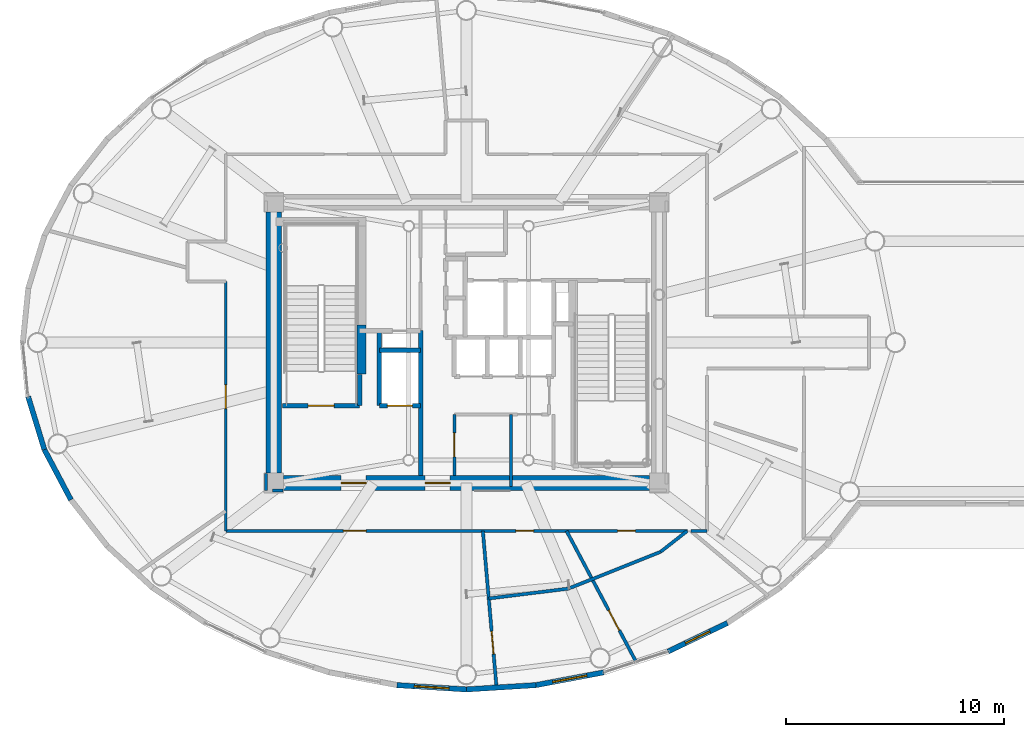
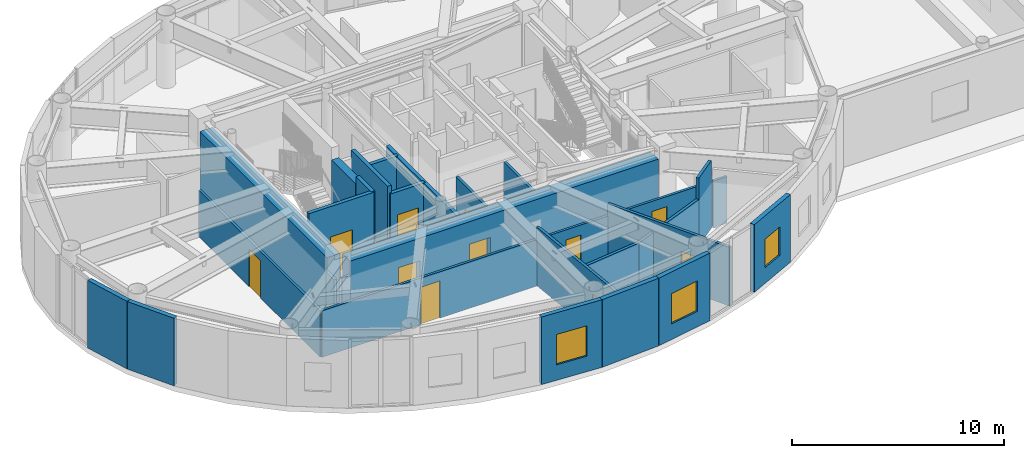
# One storey, part 16 of 26: 27 walls, 11 doors, 3 windows, 14 openings.
"""IFC4 building model written with IfcOpenShell, lengths in metres."""

from ifc_helpers import new_model, si_unit, direction, frame, frame_2d, origin, origin_2d, place, context, subcontext, project, spatial, rectangle, extrude, source, transform, mapped, material, layer, layer_set, type_object, element, fill, save


model = new_model("IFC4")

# Units and contexts
model_context = context("Model", 3, precision=1e-05, world=origin(), true_north=direction((0.0, 1.0)))
body_context = subcontext(model_context, "Body", "Model", "MODEL_VIEW")
ifc_project = project(units=[si_unit("LENGTHUNIT", "METRE"), si_unit("AREAUNIT", "SQUARE_METRE"), si_unit("VOLUMEUNIT", "CUBIC_METRE"), si_unit("PLANEANGLEUNIT", "RADIAN"), si_unit("MASSUNIT", "GRAM", prefix="KILO")], contexts=[model_context])

# Site, building, storey
site_placement = place(None, origin())
site = spatial("IfcSite", under=ifc_project, at=site_placement, CompositionType="ELEMENT")
building_placement = place(site_placement, origin())
building = spatial("IfcBuilding", under=site, at=building_placement, Name="Linh Dai School and Residence Tower", CompositionType="ELEMENT")
storey_placement = place(building_placement, frame((0.0, 0.0, 346.800048828125)))
storey = spatial("IfcBuildingStorey", under=building, at=storey_placement, Name="L86", CompositionType="ELEMENT", Elevation=346.800048828125)

# Walls
ifc_material_1 = material(Name="Precast Concrete B45 (C35/45)", Category="concrete")
ifc_layer_1 = layer(ifc_material_1, 0.239990234375)
ifc_layer_set_1 = layer_set([ifc_layer_1], Name="Precast Concrete B45 (C35/45)")
wall_type_1 = type_object("IfcWallType", Name="EW-TC-240", PredefinedType="SOLIDWALL", material=ifc_layer_set_1)
wall_1_placement = place(storey_placement, frame((16.618896484375, 22.086669921875, 0.0), z_axis=(0.0, 0.0, 1.0), x_axis=(-0.293105547213, 0.956080089842, 0.0)))
element("IfcWall", 1, at=wall_1_placement, inside=storey, type_object=wall_type_1, Name="L86 Terracotta Exterior Wall 22", PredefinedType="SOLIDWALL", context=body_context, shape_type="SweptSolid", body=[
    extrude(rectangle(XDim=2.5380859375, YDim=0.239990234375, at=frame_2d((1.26904296875, 0.0))), origin(), (0.0, 0.0, 1.0), 3.89990234375),
])
wall_2_placement = place(storey_placement, frame((17.839111328125, 19.779296875, 0.0), z_axis=(0.0, 0.0, 1.0), x_axis=(-0.467487999989, 0.883999417345, 0.0)))
element("IfcWall", 2, at=wall_2_placement, inside=storey, type_object=wall_type_1, Name="L86 Terracotta Exterior Wall 23", PredefinedType="SOLIDWALL", context=body_context, shape_type="SweptSolid", body=[
    extrude(rectangle(XDim=2.610107421875, YDim=0.239990234375, at=frame_2d((1.30517578125, 0.0))), origin(), (0.0, 0.0, 1.0), 3.89990234375),
])

# Wall, opening, window
wall_3_placement = place(storey_placement, frame((36.0, 11.070068359375, 0.0), z_axis=(0.0, 0.0, 1.0), x_axis=(-0.998109204399, 0.061465568355, 0.0)))
wall_3 = element("IfcWall", 3, at=wall_3_placement, inside=storey, type_object=wall_type_1, Name="L86 Terracotta Exterior Wall 30", PredefinedType="SOLIDWALL", context=body_context, shape_type="SweptSolid", body=[
    extrude(rectangle(XDim=3.197509765625, YDim=0.239990234375, at=frame_2d((1.5986328125, 0.0))), origin(), (0.0, 0.0, 1.0), 3.89990234375),
])
opening_1_placement = place(wall_3_placement, frame((0.798828125, 0.0, 0.89990234375)))
opening_1 = element("IfcOpeningElement", 4, at=opening_1_placement, cuts=wall_3, Name="Opening W2", PredefinedType="OPENING", context=body_context, shape_type="SweptSolid", body=[
    extrude(rectangle(XDim=1.60009765625, YDim=1.75, at=origin_2d()), frame((0.800048828125, 0.1298828125, 0.875), z_axis=(0.0, -1.0, 0.0), x_axis=(1.0, 0.0, 0.0)), (0.0, 0.0, 1.0), 0.260009765625),
])
ifc_material_2 = material(Name="Double Low-E Insulated Glazing", Category="glass")
window_type_1 = type_object("IfcWindowType", Name="WN-RES-1600x1750", PartitioningType="DOUBLE_PANEL_VERTICAL", PredefinedType="WINDOW", material=ifc_material_2)
shared_shape_1 = source(origin(), body_context, "Body", "SweptSolid", [
    extrude(rectangle(XDim=1.60009765625, YDim=1.75, at=origin_2d()), frame((0.800048828125, 0.030029296875, 0.875), z_axis=(0.0, -1.0, 0.0), x_axis=(1.0, 0.0, 0.0)), (0.0, 0.0, 1.0), 0.06005859375),
])
window_1_placement = place(opening_1_placement, origin())
window_1 = element("IfcWindow", 5, at=window_1_placement, inside=storey, type_object=window_type_1, Name="L86 Exterior Window 30.1", OverallHeight=1.75, OverallWidth=1.60009765625, PartitioningType="DOUBLE_PANEL_VERTICAL", PredefinedType="WINDOW", context=body_context, shape_type="MappedRepresentation", body=[
    mapped(shared_shape_1, transform((0.0, 0.0, 0.0), x_axis=(1.0, 0.0, 0.0), y_axis=(0.0, 1.0, 0.0), z_axis=(0.0, 0.0, 1.0), scale=1.0)),
])
fill(opening_1, window_1)

# Wall
wall_4_placement = place(storey_placement, frame((39.19140625, 11.2666015625, 0.0), z_axis=(0.0, 0.0, 1.0), x_axis=(-0.998109204399, -0.061465568355, 0.0)))
element("IfcWall", 6, at=wall_4_placement, inside=storey, type_object=wall_type_1, Name="L86 Terracotta Exterior Wall 31", PredefinedType="SOLIDWALL", context=body_context, shape_type="SweptSolid", body=[
    extrude(rectangle(XDim=3.197509765625, YDim=0.239990234375, at=frame_2d((1.5986328125, 0.0))), origin(), (0.0, 0.0, 1.0), 3.89990234375),
])

# Wall, opening, window
wall_5_placement = place(storey_placement, frame((42.303955078125, 11.85205078125, 0.0), z_axis=(0.0, 0.0, 1.0), x_axis=(-0.98276643264, -0.184851667226, 0.0)))
wall_5 = element("IfcWall", 7, at=wall_5_placement, inside=storey, type_object=wall_type_1, Name="L86 Terracotta Exterior Wall 32", PredefinedType="SOLIDWALL", context=body_context, shape_type="SweptSolid", body=[
    extrude(rectangle(XDim=3.167236328125, YDim=0.239990234375, at=frame_2d((1.58349609375, 0.0))), origin(), (0.0, 0.0, 1.0), 3.89990234375),
])
opening_2_placement = place(wall_5_placement, frame((0.78369140625, 0.0, 0.89990234375)))
opening_2 = element("IfcOpeningElement", 8, at=opening_2_placement, cuts=wall_5, Name="Opening W2", PredefinedType="OPENING", context=body_context, shape_type="SweptSolid", body=[
    extrude(rectangle(XDim=1.60009765625, YDim=1.75, at=origin_2d()), frame((0.800048828125, 0.1298828125, 0.875), z_axis=(0.0, -1.0, 0.0), x_axis=(1.0, 0.0, 0.0)), (0.0, 0.0, 1.0), 0.260009765625),
])
window_2_placement = place(opening_2_placement, origin())
window_2 = element("IfcWindow", 9, at=window_2_placement, inside=storey, type_object=window_type_1, Name="L86 Exterior Window 32.1", OverallHeight=1.75, OverallWidth=1.60009765625, PartitioningType="DOUBLE_PANEL_VERTICAL", PredefinedType="WINDOW", context=body_context, shape_type="MappedRepresentation", body=[
    mapped(shared_shape_1, transform((0.0, 0.0, 0.0), x_axis=(1.0, 0.0, 0.0), y_axis=(0.0, 1.0, 0.0), z_axis=(0.0, 0.0, 1.0), scale=1.0)),
])
fill(opening_2, window_2)

wall_6_placement = place(storey_placement, frame((47.98779296875, 14.119873046875, 0.0), z_axis=(0.0, 0.0, 1.0), x_axis=(-0.901557057889, -0.432660226241, 0.0)))
wall_6 = element("IfcWall", 10, at=wall_6_placement, inside=storey, type_object=wall_type_1, Name="L86 Terracotta Exterior Wall 34", PredefinedType="SOLIDWALL", context=body_context, shape_type="SweptSolid", body=[
    extrude(rectangle(XDim=3.025146484375, YDim=0.239990234375, at=frame_2d((1.5126953125, 0.0))), origin(), (0.0, 0.0, 1.0), 3.89990234375),
])
opening_3_placement = place(wall_6_placement, frame((0.8876953125, 0.0, 0.89990234375)))
opening_3 = element("IfcOpeningElement", 11, at=opening_3_placement, cuts=wall_6, Name="Opening W3", PredefinedType="OPENING", context=body_context, shape_type="SweptSolid", body=[
    extrude(rectangle(XDim=1.25, YDim=1.64990234375, at=origin_2d()), frame((0.625, 0.1298828125, 0.824951171875), z_axis=(0.0, -1.0, 0.0), x_axis=(1.0, 0.0, 0.0)), (0.0, 0.0, 1.0), 0.260009765625),
])
window_type_2 = type_object("IfcWindowType", Name="WN-RES-1250x1650", PartitioningType="SINGLE_PANEL", PredefinedType="WINDOW", material=ifc_material_2)
shared_shape_2 = source(origin(), body_context, "Body", "SweptSolid", [
    extrude(rectangle(XDim=1.25, YDim=1.64990234375, at=origin_2d()), frame((0.625, 0.030029296875, 0.824951171875), z_axis=(0.0, -1.0, 0.0), x_axis=(1.0, 0.0, 0.0)), (0.0, 0.0, 1.0), 0.06005859375),
])
window_3_placement = place(opening_3_placement, origin())
window_3 = element("IfcWindow", 12, at=window_3_placement, inside=storey, type_object=window_type_2, Name="L86 Exterior Window 34.1", OverallHeight=1.64990234375, OverallWidth=1.25, PartitioningType="SINGLE_PANEL", PredefinedType="WINDOW", context=body_context, shape_type="MappedRepresentation", body=[
    mapped(shared_shape_2, transform((0.0, 0.0, 0.0), x_axis=(1.0, 0.0, 0.0), y_axis=(0.0, 1.0, 0.0), z_axis=(0.0, 0.0, 1.0), scale=1.0)),
])
fill(opening_3, window_3)

# Wall, opening, door
ifc_material_3 = material(Name="Autoclaved Aerated Concrete Blockwork", Category="masonry")
ifc_layer_2 = layer(ifc_material_3, 0.135009765625)
ifc_layer_set_2 = layer_set([ifc_layer_2], Name="Autoclaved Aerated Concrete Blockwork")
wall_type_2 = type_object("IfcWallType", Name="IW-CORR-135-EI90", PredefinedType="PARTITIONING", material=ifc_layer_set_2)
wall_7_placement = place(storey_placement, frame((24.949951171875, 18.35009765625, 0.0), z_axis=(0.0, 0.0, 1.0), x_axis=(0.0, 1.0, 0.0)))
wall_7 = element("IfcWall", 13, at=wall_7_placement, inside=storey, type_object=wall_type_2, Name="L86 Interior Partition Wall 006", PredefinedType="PARTITIONING", context=body_context, shape_type="SweptSolid", body=[
    extrude(rectangle(XDim=11.449951171875, YDim=0.135009765625, at=frame_2d((5.72509765625, 0.0))), origin(), (0.0, 0.0, 1.0), 2.68505859375),
])
opening_4_placement = place(wall_7_placement, frame((5.611328125, 0.0, 0.0)))
opening_4 = element("IfcOpeningElement", 14, at=opening_4_placement, cuts=wall_7, Name="Opening D07", PredefinedType="OPENING", context=body_context, shape_type="SweptSolid", body=[
    extrude(rectangle(XDim=1.10009765625, YDim=2.14990234375, at=origin_2d()), frame((0.550048828125, 0.07763671875, 1.074951171875), z_axis=(0.0, -1.0, 0.0), x_axis=(1.0, 0.0, 0.0)), (0.0, 0.0, 1.0), 0.155029296875),
])
ifc_material_4 = material(Name="Fire-Rated Louvred Steel Plant Door", Category="steel")
door_type_1 = type_object("IfcDoorType", Name="DR-PLT-1100x2150-FD60S", OperationType="NOTDEFINED", PredefinedType="DOOR", material=ifc_material_4)
shared_shape_3 = source(origin(), body_context, "Body", "SweptSolid", [
    extrude(rectangle(XDim=1.10009765625, YDim=2.14990234375, at=origin_2d()), frame((0.550048828125, 0.02490234375, 1.074951171875), z_axis=(0.0, -1.0, 0.0), x_axis=(1.0, 0.0, 0.0)), (0.0, 0.0, 1.0), 0.050048828125),
])
door_1_placement = place(opening_4_placement, origin())
door_1 = element("IfcDoor", 15, at=door_1_placement, inside=storey, type_object=door_type_1, Name="L86 Sommelier Cellar and Cold Pantry Door", OperationType="SINGLE_SWING_LEFT", OverallHeight=2.14990234375, OverallWidth=1.10009765625, PredefinedType="DOOR", context=body_context, shape_type="MappedRepresentation", body=[
    mapped(shared_shape_3, transform((0.0, 0.0, 0.0), x_axis=(1.0, 0.0, 0.0), y_axis=(0.0, 1.0, 0.0), z_axis=(0.0, 0.0, 1.0), scale=1.0)),
])
fill(opening_4, door_1)

# Wall, openings, doors
wall_8_placement = place(storey_placement, frame((24.949951171875, 18.35009765625, 0.0), z_axis=(0.0, 0.0, 1.0), x_axis=(1.0, 0.0, 0.0)))
wall_8 = element("IfcWall", 16, at=wall_8_placement, inside=storey, type_object=wall_type_2, Name="L86 Interior Partition Wall 007", PredefinedType="PARTITIONING", context=body_context, shape_type="SweptSolid", body=[
    extrude(rectangle(XDim=21.194580078125, YDim=0.135009765625, at=frame_2d((10.59716796875, 0.0))), origin(), (0.0, 0.0, 1.0), 2.68505859375),
])
opening_5_placement = place(wall_8_placement, frame((5.3984375, 0.0, 0.0)))
opening_5 = element("IfcOpeningElement", 17, at=opening_5_placement, cuts=wall_8, Name="Opening D04", PredefinedType="OPENING", context=body_context, shape_type="SweptSolid", body=[
    extrude(rectangle(XDim=1.050048828125, YDim=2.14990234375, at=origin_2d()), frame((0.52490234375, 0.07763671875, 1.074951171875), z_axis=(0.0, -1.0, 0.0), x_axis=(1.0, 0.0, 0.0)), (0.0, 0.0, 1.0), 0.155029296875),
])
opening_6_placement = place(wall_8_placement, frame((13.318115234375, 0.0, 0.0)))
opening_6 = element("IfcOpeningElement", 18, at=opening_6_placement, cuts=wall_8, Name="Opening D06", PredefinedType="OPENING", context=body_context, shape_type="SweptSolid", body=[
    extrude(rectangle(XDim=0.820068359375, YDim=2.10009765625, at=origin_2d()), frame((0.41015625, 0.07763671875, 1.050048828125), z_axis=(0.0, -1.0, 0.0), x_axis=(1.0, 0.0, 0.0)), (0.0, 0.0, 1.0), 0.155029296875),
])
opening_7_placement = place(wall_8_placement, frame((17.991943359375, 0.0, 0.0)))
opening_7 = element("IfcOpeningElement", 19, at=opening_7_placement, cuts=wall_8, Name="Opening D06", PredefinedType="OPENING", context=body_context, shape_type="SweptSolid", body=[
    extrude(rectangle(XDim=0.820068359375, YDim=2.10009765625, at=origin_2d()), frame((0.41015625, 0.07763671875, 1.050048828125), z_axis=(0.0, -1.0, 0.0), x_axis=(1.0, 0.0, 0.0)), (0.0, 0.0, 1.0), 0.155029296875),
])
ifc_material_5 = material(Name="Acoustic Vision-Panel Timber Classroom Door", Category="wood")
door_type_2 = type_object("IfcDoorType", Name="DR-SCH-1050x2150-FD60S", OperationType="NOTDEFINED", PredefinedType="DOOR", material=ifc_material_5)
shared_shape_4 = source(origin(), body_context, "Body", "SweptSolid", [
    extrude(rectangle(XDim=1.050048828125, YDim=2.14990234375, at=origin_2d()), frame((0.52490234375, 0.02490234375, 1.074951171875), z_axis=(0.0, -1.0, 0.0), x_axis=(1.0, 0.0, 0.0)), (0.0, 0.0, 1.0), 0.050048828125),
])
door_2_placement = place(opening_5_placement, origin())
door_2 = element("IfcDoor", 20, at=door_2_placement, inside=storey, type_object=door_type_2, Name="L86 Sunset Cocktail Lounge West Door", OperationType="SINGLE_SWING_RIGHT", OverallHeight=2.14990234375, OverallWidth=1.050048828125, PredefinedType="DOOR", context=body_context, shape_type="MappedRepresentation", body=[
    mapped(shared_shape_4, transform((0.0, 0.0, 0.0), x_axis=(1.0, 0.0, 0.0), y_axis=(0.0, 1.0, 0.0), z_axis=(0.0, 0.0, 1.0), scale=1.0)),
])
fill(opening_5, door_2)
ifc_material_6 = material(Name="Moisture-Resistant Timber Bathroom Door", Category="wood")
door_type_3 = type_object("IfcDoorType", Name="DR-WET-820x2100", OperationType="NOTDEFINED", PredefinedType="DOOR", material=ifc_material_6)
shared_shape_5 = source(origin(), body_context, "Body", "SweptSolid", [
    extrude(rectangle(XDim=0.820068359375, YDim=2.10009765625, at=origin_2d()), frame((0.41015625, 0.02490234375, 1.050048828125), z_axis=(0.0, -1.0, 0.0), x_axis=(1.0, 0.0, 0.0)), (0.0, 0.0, 1.0), 0.050048828125),
])
door_3_placement = place(opening_6_placement, origin())
door_3 = element("IfcDoor", 21, at=door_3_placement, inside=storey, type_object=door_type_3, Name="L86 Sky Restaurant Male WC Door", OperationType="SINGLE_SWING_LEFT", OverallHeight=2.10009765625, OverallWidth=0.820068359375, PredefinedType="DOOR", context=body_context, shape_type="MappedRepresentation", body=[
    mapped(shared_shape_5, transform((0.0, 0.0, 0.0), x_axis=(1.0, 0.0, 0.0), y_axis=(0.0, 1.0, 0.0), z_axis=(0.0, 0.0, 1.0), scale=1.0)),
])
fill(opening_6, door_3)
door_4_placement = place(opening_7_placement, origin())
door_4 = element("IfcDoor", 22, at=door_4_placement, inside=storey, type_object=door_type_3, Name="L86 Sky Restaurant Female WC Door", OperationType="SINGLE_SWING_LEFT", OverallHeight=2.10009765625, OverallWidth=0.820068359375, PredefinedType="DOOR", context=body_context, shape_type="MappedRepresentation", body=[
    mapped(shared_shape_5, transform((0.0, 0.0, 0.0), x_axis=(1.0, 0.0, 0.0), y_axis=(0.0, 1.0, 0.0), z_axis=(0.0, 0.0, 1.0), scale=1.0)),
])
fill(opening_7, door_4)

# Wall, opening, door
wall_9_placement = place(storey_placement, frame((35.449951171875, 20.89990234375, 0.0), z_axis=(0.0, 0.0, 1.0), x_axis=(0.0, 1.0, 0.0)))
wall_9 = element("IfcWall", 23, at=wall_9_placement, inside=storey, type_object=wall_type_2, Name="L86 Interior Partition Wall 027", PredefinedType="PARTITIONING", context=body_context, shape_type="SweptSolid", body=[
    extrude(rectangle(XDim=2.800048828125, YDim=0.135009765625, at=frame_2d((1.39990234375, 0.0))), origin(), (0.0, 0.0, 1.0), 3.48486328125),
])
opening_8_placement = place(wall_9_placement, frame((0.85009765625, 0.0, 0.0)))
opening_8 = element("IfcOpeningElement", 24, at=opening_8_placement, cuts=wall_9, Name="Opening D07", PredefinedType="OPENING", context=body_context, shape_type="SweptSolid", body=[
    extrude(rectangle(XDim=1.10009765625, YDim=2.14990234375, at=origin_2d()), frame((0.550048828125, 0.07763671875, 1.074951171875), z_axis=(0.0, -1.0, 0.0), x_axis=(1.0, 0.0, 0.0)), (0.0, 0.0, 1.0), 0.155029296875),
])
door_5_placement = place(opening_8_placement, origin())
door_5 = element("IfcDoor", 25, at=door_5_placement, inside=storey, type_object=door_type_1, Name="L86 Floor Electrical Switchroom Door", OperationType="SINGLE_SWING_RIGHT", OverallHeight=2.14990234375, OverallWidth=1.10009765625, PredefinedType="DOOR", context=body_context, shape_type="MappedRepresentation", body=[
    mapped(shared_shape_3, transform((0.0, 0.0, 0.0), x_axis=(1.0, 0.0, 0.0), y_axis=(0.0, 1.0, 0.0), z_axis=(0.0, 0.0, 1.0), scale=1.0)),
])
fill(opening_8, door_5)

# Walls
wall_10_placement = place(storey_placement, frame((46.30859375, 18.35009765625, 0.0), z_axis=(0.0, 0.0, 1.0), x_axis=(1.0, 0.0, 0.0)))
element("IfcWall", 26, at=wall_10_placement, inside=storey, type_object=wall_type_2, Name="L86 Interior Partition Wall 052", PredefinedType="PARTITIONING", context=body_context, shape_type="SweptSolid", body=[
    extrude(rectangle(XDim=0.741455078125, YDim=0.135009765625, at=frame_2d((0.37060546875, 0.0))), origin(), (0.0, 0.0, 1.0), 2.68505859375),
])
wall_11_placement = place(storey_placement, frame((26.800048828125, 20.989990234375, 0.0), z_axis=(0.0, 0.0, 1.0), x_axis=(0.0, -1.0, 0.0)))
element("IfcWall", 27, at=wall_11_placement, inside=storey, type_object=wall_type_2, Name="L86 Interior Partition Wall 070", PredefinedType="PARTITIONING", context=body_context, shape_type="SweptSolid", body=[
    extrude(rectangle(XDim=0.7900390625, YDim=0.135009765625, at=frame_2d((0.39501953125, 0.0))), origin(), (0.0, 0.0, 1.0), 2.68505859375),
])
wall_12_placement = place(storey_placement, frame((27.107421875, 20.199951171875, 0.0), z_axis=(0.0, 0.0, 1.0), x_axis=(1.0, 0.0, 0.0)))
element("IfcWall", 28, at=wall_12_placement, inside=storey, type_object=wall_type_2, Name="L86 Interior Partition Wall 071", PredefinedType="PARTITIONING", context=body_context, shape_type="SweptSolid", body=[
    extrude(rectangle(XDim=0.482666015625, YDim=0.135009765625, at=frame_2d((0.2412109375, 0.0))), origin(), (0.0, 0.0, 1.0), 2.68505859375),
])

# Wall, opening, door
ifc_layer_3 = layer(ifc_material_3, 0.14990234375)
ifc_layer_set_3 = layer_set([ifc_layer_3], Name="Autoclaved Aerated Concrete Blockwork")
wall_type_3 = type_object("IfcWallType", Name="IW-SCH-150-EI60", PredefinedType="PARTITIONING", material=ifc_layer_set_3)
wall_13_placement = place(storey_placement, frame((36.7568359375, 18.35009765625, 0.0), z_axis=(0.0, 0.0, 1.0), x_axis=(0.087157311774, -0.996194560818, 0.0)))
wall_13 = element("IfcWall", 29, at=wall_13_placement, inside=storey, type_object=wall_type_3, Name="L86 Interior Partition Wall 034", PredefinedType="PARTITIONING", context=body_context, shape_type="SweptSolid", body=[
    extrude(rectangle(XDim=7.22705078125, YDim=0.14990234375, at=frame_2d((3.613525390625, 0.0))), origin(), (0.0, 0.0, 1.0), 3.385009765625),
])
opening_9_placement = place(wall_13_placement, frame((4.6259765625, 0.0, 0.0)))
opening_9 = element("IfcOpeningElement", 30, at=opening_9_placement, cuts=wall_13, Name="Opening D04", PredefinedType="OPENING", context=body_context, shape_type="SweptSolid", body=[
    extrude(rectangle(XDim=1.050048828125, YDim=2.14990234375, at=origin_2d()), frame((0.52490234375, 0.0849609375, 1.074951171875), z_axis=(0.0, -1.0, 0.0), x_axis=(1.0, 0.0, 0.0)), (0.0, 0.0, 1.0), 0.169921875),
])
door_6_placement = place(opening_9_placement, origin())
door_6 = element("IfcDoor", 31, at=door_6_placement, inside=storey, type_object=door_type_2, Name="L86 Sky Viewing Alcove MWC Door", OperationType="SINGLE_SWING_RIGHT", OverallHeight=2.14990234375, OverallWidth=1.050048828125, PredefinedType="DOOR", context=body_context, shape_type="MappedRepresentation", body=[
    mapped(shared_shape_4, transform((0.0, 0.0, 0.0), x_axis=(1.0, 0.0, 0.0), y_axis=(0.0, 1.0, 0.0), z_axis=(0.0, 0.0, 1.0), scale=1.0)),
])
fill(opening_9, door_6)

# Walls
wall_14_placement = place(storey_placement, frame((37.0283203125, 15.246826171875, 0.0), z_axis=(0.0, 0.0, 1.0), x_axis=(0.992396593677, 0.123081277447, 0.0)))
element("IfcWall", 32, at=wall_14_placement, inside=storey, type_object=wall_type_3, Name="L86 Interior Partition Wall 038", PredefinedType="PARTITIONING", context=body_context, shape_type="SweptSolid", body=[
    extrude(rectangle(XDim=3.6875, YDim=0.14990234375, at=frame_2d((1.84375, 0.0))), origin(), (0.0, 0.0, 1.0), 2.68505859375),
])
wall_15_placement = place(storey_placement, frame((38.050048828125, 20.3798828125, 0.0), z_axis=(0.0, 0.0, 1.0), x_axis=(0.0, 1.0, 0.0)))
element("IfcWall", 33, at=wall_15_placement, inside=storey, type_object=wall_type_3, Name="L86 Interior Partition Wall 041", PredefinedType="PARTITIONING", context=body_context, shape_type="SweptSolid", body=[
    extrude(rectangle(XDim=3.320068359375, YDim=0.14990234375, at=frame_2d((1.66015625, 0.0))), origin(), (0.0, 0.0, 1.0), 3.43505859375),
])

# Wall, opening, door
wall_16_placement = place(storey_placement, frame((40.599365234375, 18.35009765625, 0.0), z_axis=(0.0, 0.0, 1.0), x_axis=(0.469451991375, -0.882957998884, 0.0)))
wall_16 = element("IfcWall", 34, at=wall_16_placement, inside=storey, type_object=wall_type_3, Name="L86 Interior Partition Wall 046", PredefinedType="PARTITIONING", context=body_context, shape_type="SweptSolid", body=[
    extrude(rectangle(XDim=6.81640625, YDim=0.14990234375, at=frame_2d((3.408203125, 0.0))), origin(), (0.0, 0.0, 1.0), 3.385009765625),
])
opening_10_placement = place(wall_16_placement, frame((4.1171875, 0.0, 0.0)))
opening_10 = element("IfcOpeningElement", 35, at=opening_10_placement, cuts=wall_16, Name="Opening D04", PredefinedType="OPENING", context=body_context, shape_type="SweptSolid", body=[
    extrude(rectangle(XDim=1.050048828125, YDim=2.14990234375, at=origin_2d()), frame((0.52490234375, 0.0849609375, 1.074951171875), z_axis=(0.0, -1.0, 0.0), x_axis=(1.0, 0.0, 0.0)), (0.0, 0.0, 1.0), 0.169921875),
])
door_7_placement = place(opening_10_placement, origin())
door_7 = element("IfcDoor", 36, at=door_7_placement, inside=storey, type_object=door_type_2, Name="L86 Sky Viewing Alcove FWC Door", OperationType="SINGLE_SWING_RIGHT", OverallHeight=2.14990234375, OverallWidth=1.050048828125, PredefinedType="DOOR", context=body_context, shape_type="MappedRepresentation", body=[
    mapped(shared_shape_4, transform((0.0, 0.0, 0.0), x_axis=(1.0, 0.0, 0.0), y_axis=(0.0, 1.0, 0.0), z_axis=(0.0, 0.0, 1.0), scale=1.0)),
])
fill(opening_10, door_7)

# Walls
wall_17_placement = place(storey_placement, frame((40.687744140625, 15.70068359375, 0.0), z_axis=(0.0, 0.0, 1.0), x_axis=(0.928768528543, 0.370660249268, 0.0)))
element("IfcWall", 37, at=wall_17_placement, inside=storey, type_object=wall_type_3, Name="L86 Interior Partition Wall 047", PredefinedType="PARTITIONING", context=body_context, shape_type="SweptSolid", body=[
    extrude(rectangle(XDim=4.553466796875, YDim=0.14990234375, at=frame_2d((2.27685546875, 0.0))), origin(), (0.0, 0.0, 1.0), 2.68505859375),
])
wall_18_placement = place(storey_placement, frame((44.916748046875, 17.388427734375, 0.0), z_axis=(0.0, 0.0, 1.0), x_axis=(0.787257183914, 0.61662478573, 0.0)))
element("IfcWall", 38, at=wall_18_placement, inside=storey, type_object=wall_type_3, Name="L86 Interior Partition Wall 051", PredefinedType="PARTITIONING", context=body_context, shape_type="SweptSolid", body=[
    extrude(rectangle(XDim=1.5595703125, YDim=0.14990234375, at=frame_2d((0.77978515625, 0.0))), origin(), (0.0, 0.0, 1.0), 3.89990234375),
])

# Wall, opening, door
ifc_material_7 = material(Name="Concrete B45 (C35/45)", Category="concrete")
ifc_layer_4 = layer(ifc_material_7, 0.199951171875)
ifc_layer_set_4 = layer_set([ifc_layer_4], Name="Concrete B45 (C35/45)")
wall_type_4 = type_object("IfcWallType", Name="IW-SHAFT-200-EI120", PredefinedType="PARTITIONING", material=ifc_layer_set_4)
wall_19_placement = place(storey_placement, frame((27.56005859375, 24.10009765625, 0.0), z_axis=(0.0, 0.0, 1.0), x_axis=(1.0, 0.0, 0.0)))
wall_19 = element("IfcWall", 39, at=wall_19_placement, inside=storey, type_object=wall_type_4, Name="L86 Interior Partition Wall 010", PredefinedType="PARTITIONING", context=body_context, shape_type="SweptSolid", body=[
    extrude(rectangle(XDim=3.5400390625, YDim=0.199951171875, at=frame_2d((1.77001953125, 0.0))), origin(), (0.0, 0.0, 1.0), 3.89990234375),
])
opening_11_placement = place(wall_19_placement, frame((1.169921875, 0.0, 0.0)))
opening_11 = element("IfcOpeningElement", 40, at=opening_11_placement, cuts=wall_19, Name="Opening D01", PredefinedType="OPENING", context=body_context, shape_type="SweptSolid", body=[
    extrude(rectangle(XDim=1.199951171875, YDim=2.14990234375, at=origin_2d()), frame((0.60009765625, 0.10986328125, 1.074951171875), z_axis=(0.0, -1.0, 0.0), x_axis=(1.0, 0.0, 0.0)), (0.0, 0.0, 1.0), 0.219970703125),
])
ifc_material_8 = material(Name="Fire-Rated Steel Door Leaf", Category="steel")
door_type_4 = type_object("IfcDoorType", Name="DR-STAIR-1200x2150-FD90S", OperationType="NOTDEFINED", PredefinedType="DOOR", material=ifc_material_8)
shared_shape_6 = source(origin(), body_context, "Body", "SweptSolid", [
    extrude(rectangle(XDim=1.199951171875, YDim=2.14990234375, at=origin_2d()), frame((0.60009765625, 0.02490234375, 1.074951171875), z_axis=(0.0, -1.0, 0.0), x_axis=(1.0, 0.0, 0.0)), (0.0, 0.0, 1.0), 0.050048828125),
])
door_8_placement = place(opening_11_placement, origin())
door_8 = element("IfcDoor", 41, at=door_8_placement, inside=storey, type_object=door_type_4, Name="L86 Core Smokeproof Exit Stair ST1 Door", OperationType="SINGLE_SWING_RIGHT", OverallHeight=2.14990234375, OverallWidth=1.199951171875, PredefinedType="DOOR", context=body_context, shape_type="MappedRepresentation", body=[
    mapped(shared_shape_6, transform((0.0, 0.0, 0.0), x_axis=(1.0, 0.0, 0.0), y_axis=(0.0, 1.0, 0.0), z_axis=(0.0, 0.0, 1.0), scale=1.0)),
])
fill(opening_11, door_8)

# Walls
wall_20_placement = place(storey_placement, frame((31.10009765625, 24.10009765625, 0.0), z_axis=(0.0, 0.0, 1.0), x_axis=(0.0, 1.0, 0.0)))
element("IfcWall", 42, at=wall_20_placement, inside=storey, type_object=wall_type_4, Name="L86 Interior Partition Wall 011", PredefinedType="PARTITIONING", context=body_context, shape_type="SweptSolid", body=[
    extrude(rectangle(XDim=1.43994140625, YDim=0.199951171875, at=frame_2d((0.719970703125, 0.0))), origin(), (0.0, 0.0, 1.0), 3.89990234375),
])
wall_21_placement = place(storey_placement, frame((32.0, 24.10009765625, 0.0), z_axis=(0.0, 0.0, 1.0), x_axis=(0.0, 1.0, 0.0)))
element("IfcWall", 43, at=wall_21_placement, inside=storey, type_object=wall_type_4, Name="L86 Interior Partition Wall 013", PredefinedType="PARTITIONING", context=body_context, shape_type="SweptSolid", body=[
    extrude(rectangle(XDim=3.449951171875, YDim=0.199951171875, at=frame_2d((1.72509765625, 0.0))), origin(), (0.0, 0.0, 1.0), 3.89990234375),
])

# Wall, opening, door
wall_22_placement = place(storey_placement, frame((32.0, 24.10009765625, 0.0), z_axis=(0.0, 0.0, 1.0), x_axis=(1.0, 0.0, 0.0)))
wall_22 = element("IfcWall", 44, at=wall_22_placement, inside=storey, type_object=wall_type_4, Name="L86 Interior Partition Wall 014", PredefinedType="PARTITIONING", context=body_context, shape_type="SweptSolid", body=[
    extrude(rectangle(XDim=1.89990234375, YDim=0.199951171875, at=frame_2d((0.949951171875, 0.0))), origin(), (0.0, 0.0, 1.0), 3.48486328125),
])
opening_12_placement = place(wall_22_placement, frame((0.375, 0.0, 0.0)))
opening_12 = element("IfcOpeningElement", 45, at=opening_12_placement, cuts=wall_22, Name="Opening LD-FF2", PredefinedType="OPENING", context=body_context, shape_type="SweptSolid", body=[
    extrude(rectangle(XDim=1.14990234375, YDim=2.14990234375, at=origin_2d()), frame((0.574951171875, 0.10986328125, 1.074951171875), z_axis=(0.0, -1.0, 0.0), x_axis=(1.0, 0.0, 0.0)), (0.0, 0.0, 1.0), 0.219970703125),
])
ifc_material_9 = material(Name="Fire-Rated Stainless Steel Firefighting Lift Door", Category="steel")
door_type_5 = type_object("IfcDoorType", Name="DR-LD-FF-1150x2150-FD120", OperationType="DOUBLE_DOOR_SLIDING", PredefinedType="USERDEFINED", material=ifc_material_9)
shared_shape_7 = source(origin(), body_context, "Body", "SweptSolid", [
    extrude(rectangle(XDim=1.14990234375, YDim=2.14990234375, at=origin_2d()), frame((0.574951171875, 0.02490234375, 1.074951171875), z_axis=(0.0, -1.0, 0.0), x_axis=(1.0, 0.0, 0.0)), (0.0, 0.0, 1.0), 0.050048828125),
])
door_9_placement = place(opening_12_placement, origin())
door_9 = element("IfcDoor", 46, at=door_9_placement, inside=storey, type_object=door_type_5, Name="L86 Lift FF2 Sliding Landing Door", ObjectType="LANDING DOOR", OperationType="DOUBLE_DOOR_SLIDING", OverallHeight=2.14990234375, OverallWidth=1.14990234375, PredefinedType="USERDEFINED", context=body_context, shape_type="MappedRepresentation", body=[
    mapped(shared_shape_7, transform((0.0, 0.0, 0.0), x_axis=(1.0, 0.0, 0.0), y_axis=(0.0, 1.0, 0.0), z_axis=(0.0, 0.0, 1.0), scale=1.0)),
])
fill(opening_12, door_9)

# Walls
wall_23_placement = place(storey_placement, frame((32.0, 26.64990234375, 0.0), z_axis=(0.0, 0.0, 1.0), x_axis=(1.0, 0.0, 0.0)))
element("IfcWall", 47, at=wall_23_placement, inside=storey, type_object=wall_type_4, Name="L86 Interior Partition Wall 015", PredefinedType="PARTITIONING", context=body_context, shape_type="SweptSolid", body=[
    extrude(rectangle(XDim=1.89990234375, YDim=0.199951171875, at=frame_2d((0.949951171875, 0.0))), origin(), (0.0, 0.0, 1.0), 3.48486328125),
])
wall_24_placement = place(storey_placement, frame((33.89990234375, 20.89990234375, 0.0), z_axis=(0.0, 0.0, 1.0), x_axis=(0.0, 1.0, 0.0)))
element("IfcWall", 48, at=wall_24_placement, inside=storey, type_object=wall_type_4, Name="L86 Interior Partition Wall 016", PredefinedType="PARTITIONING", context=body_context, shape_type="SweptSolid", body=[
    extrude(rectangle(XDim=6.650146484375, YDim=0.199951171875, at=frame_2d((3.3251953125, 0.0))), origin(), (0.0, 0.0, 1.0), 3.48486328125),
])
ifc_layer_5 = layer(ifc_material_7, 0.39990234375)
ifc_layer_set_5 = layer_set([ifc_layer_5], Name="Concrete B45 (C35/45)")
wall_type_5 = type_object("IfcWallType", Name="WL-CORE400", PredefinedType="SHEAR", material=ifc_layer_set_5)
wall_25_placement = place(storey_placement, frame((31.179931640625, 25.550048828125, 0.0), z_axis=(0.0, 0.0, 1.0), x_axis=(0.0, 1.0, 0.0)))
element("IfcWall", 49, at=wall_25_placement, inside=storey, type_object=wall_type_5, Name="L86 Internal Core Shear Wall IW", PredefinedType="SHEAR", context=body_context, shape_type="SweptSolid", body=[
    extrude(rectangle(XDim=2.25, YDim=0.39990234375, at=frame_2d((1.125, 0.0))), origin(), (0.0, 0.0, 1.0), 3.5),
])

# Wall, openings, doors
ifc_layer_6 = layer(ifc_material_7, 0.699951171875)
ifc_layer_set_6 = layer_set([ifc_layer_6], Name="Concrete B45 (C35/45)")
wall_type_6 = type_object("IfcWallType", Name="WL-CORE700", PredefinedType="SHEAR", material=ifc_layer_set_6)
wall_26_placement = place(storey_placement, frame((44.39990234375, 20.550048828125, 0.0), z_axis=(0.0, 0.0, 1.0), x_axis=(-1.0, 0.0, 0.0)))
wall_26 = element("IfcWall", 50, at=wall_26_placement, inside=storey, type_object=wall_type_6, Name="L86 Central Core Shear Wall S", PredefinedType="SHEAR", context=body_context, shape_type="SweptSolid", body=[
    extrude(rectangle(XDim=16.7998046875, YDim=0.699951171875, at=frame_2d((8.39990234375, 0.0))), origin(), (0.0, 0.0, 1.0), 3.449951171875),
])
opening_13_placement = place(wall_26_placement, frame((13.0, 0.0, 0.0)))
opening_13 = element("IfcOpeningElement", 51, at=opening_13_placement, cuts=wall_26, Name="Opening D02", PredefinedType="OPENING", context=body_context, shape_type="SweptSolid", body=[
    extrude(rectangle(XDim=1.14990234375, YDim=2.14990234375, at=origin_2d()), frame((0.574951171875, 0.35986328125, 1.074951171875), z_axis=(0.0, -1.0, 0.0), x_axis=(1.0, 0.0, 0.0)), (0.0, 0.0, 1.0), 0.719970703125),
])
opening_14_placement = place(wall_26_placement, frame((9.14990234375, 0.0, 0.0)))
opening_14 = element("IfcOpeningElement", 52, at=opening_14_placement, cuts=wall_26, Name="Opening D02", PredefinedType="OPENING", context=body_context, shape_type="SweptSolid", body=[
    extrude(rectangle(XDim=1.14990234375, YDim=2.14990234375, at=origin_2d()), frame((0.574951171875, 0.35986328125, 1.074951171875), z_axis=(0.0, -1.0, 0.0), x_axis=(1.0, 0.0, 0.0)), (0.0, 0.0, 1.0), 0.719970703125),
])
ifc_material_10 = material(Name="Fire-Rated Glazed Steel Lobby Door", Category="steel")
door_type_6 = type_object("IfcDoorType", Name="DR-LOBBY-1150x2150-FD90S", OperationType="NOTDEFINED", PredefinedType="DOOR", material=ifc_material_10)
shared_shape_8 = source(origin(), body_context, "Body", "SweptSolid", [
    extrude(rectangle(XDim=1.14990234375, YDim=2.14990234375, at=origin_2d()), frame((0.574951171875, 0.02490234375, 1.074951171875), z_axis=(0.0, -1.0, 0.0), x_axis=(1.0, 0.0, 0.0)), (0.0, 0.0, 1.0), 0.050048828125),
])
door_10_placement = place(opening_13_placement, origin())
door_10 = element("IfcDoor", 53, at=door_10_placement, inside=storey, type_object=door_type_6, Name="L86 Firefighting Lobby Door", OperationType="SINGLE_SWING_LEFT", OverallHeight=2.14990234375, OverallWidth=1.14990234375, PredefinedType="DOOR", context=body_context, shape_type="MappedRepresentation", body=[
    mapped(shared_shape_8, transform((0.0, 0.0, 0.0), x_axis=(1.0, 0.0, 0.0), y_axis=(0.0, 1.0, 0.0), z_axis=(0.0, 0.0, 1.0), scale=1.0)),
])
fill(opening_13, door_10)
door_11_placement = place(opening_14_placement, origin())
door_11 = element("IfcDoor", 54, at=door_11_placement, inside=storey, type_object=door_type_6, Name="L86 Passenger Foyer Access Door", OperationType="SINGLE_SWING_LEFT", OverallHeight=2.14990234375, OverallWidth=1.14990234375, PredefinedType="DOOR", context=body_context, shape_type="MappedRepresentation", body=[
    mapped(shared_shape_8, transform((0.0, 0.0, 0.0), x_axis=(1.0, 0.0, 0.0), y_axis=(0.0, 1.0, 0.0), z_axis=(0.0, 0.0, 1.0), scale=1.0)),
])
fill(opening_14, door_11)

# Wall
wall_27_placement = place(storey_placement, frame((27.14990234375, 21.0, 0.0), z_axis=(0.0, 0.0, 1.0), x_axis=(0.0, 1.0, 0.0)))
element("IfcWall", 55, at=wall_27_placement, inside=storey, type_object=wall_type_6, Name="L86 Central Core Shear Wall W", PredefinedType="SHEAR", context=body_context, shape_type="SweptSolid", body=[
    extrude(rectangle(XDim=12.0, YDim=0.699951171875, at=frame_2d((6.0, 0.0))), origin(), (0.0, 0.0, 1.0), 3.449951171875),
])

save(model, "model.ifc")
